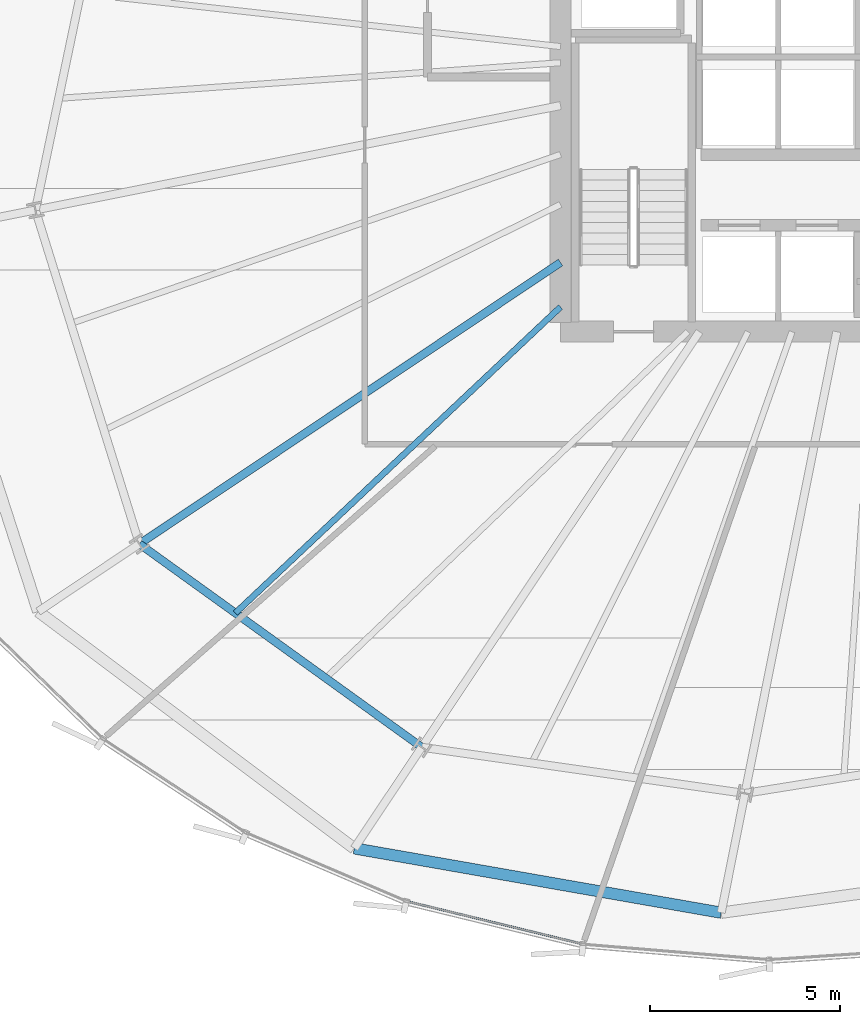
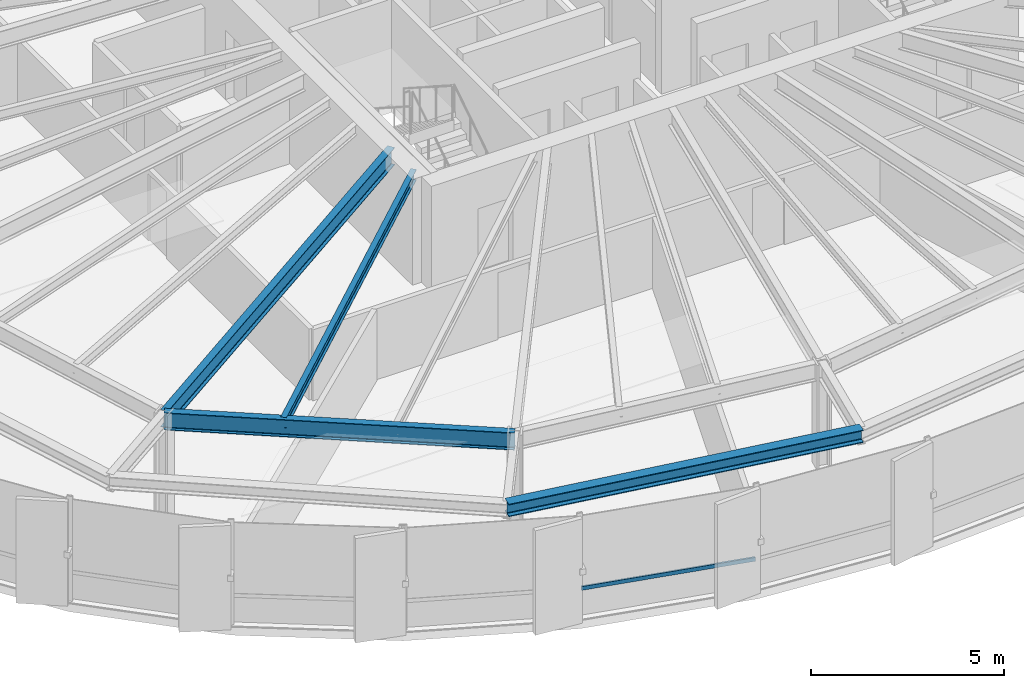
# One storey, part 4 of 35: 4 beams, 1 member, 1 element without a shape of its own.
"""IFC4 building model written with IfcOpenShell, lengths in metres."""

from ifc_helpers import new_model, si_unit, direction, frame, origin, origin_2d, place, context, subcontext, project, spatial, hollow_rectangle, i_section, extrude, source, transform, mapped, material, layer, layer_set, material_profile, profile_set, type_object, element, aggregate, save


model = new_model("IFC4")

# Units and contexts
model_context = context("Model", 3, precision=1e-05, world=origin(), true_north=direction((0.0, 1.0)))
body_context = subcontext(model_context, "Body", "Model", "MODEL_VIEW")
ifc_project = project(units=[si_unit("LENGTHUNIT", "METRE"), si_unit("AREAUNIT", "SQUARE_METRE"), si_unit("VOLUMEUNIT", "CUBIC_METRE"), si_unit("PLANEANGLEUNIT", "RADIAN"), si_unit("MASSUNIT", "GRAM", prefix="KILO"), si_unit("THERMODYNAMICTEMPERATUREUNIT", "KELVIN")], contexts=[model_context])

# Site, building, storey
site_placement = place(None, origin())
site = spatial("IfcSite", under=ifc_project, at=site_placement, CompositionType="ELEMENT")
building_placement = place(site_placement, origin())
building = spatial("IfcBuilding", under=site, at=building_placement, Name="Kethvar Cultural Tower", CompositionType="ELEMENT")
storey_placement = place(building_placement, frame((0.0, 0.0, 100.0)))
storey = spatial("IfcBuildingStorey", under=building, at=storey_placement, Name="L24", CompositionType="ELEMENT", Elevation=100.0)

# Beams
ifc_material_1 = material(Name="Steel S355J2", Category="steel")
ifc_material_profile_1 = material_profile(ifc_material_1, i_section(OverallWidth=0.2099609375, OverallDepth=0.550048828125, WebThickness=0.010986328125, FlangeThickness=0.01708984375, FilletRadius=0.02392578125, at=origin_2d()), Name="Steel S355J2 — IPE550")
ifc_profile_set_1 = profile_set([ifc_material_profile_1], Name="Steel S355J2 — IPE550")
beam_type_1 = type_object("IfcBeamType", Name="BM-IPE550", PredefinedType="BEAM", material=ifc_profile_set_1)
shared_shape_1 = source(origin(), body_context, "Body", "SweptSolid", [
    extrude(i_section(OverallWidth=0.2099609375, OverallDepth=0.550048828125, WebThickness=0.010986328125, FlangeThickness=0.01708984375, FilletRadius=0.02392578125, at=origin_2d()), origin(), (0.0, 0.0, 1.0), 13.324951171875),
])
beam_1_placement = place(storey_placement, frame((38.0, 21.919921875, 3.072998046875), z_axis=(-0.831474815475, -0.555562445843, 0.0), x_axis=(0.555562445843, -0.831474815475, 0.0)))
element("IfcBeam", 1, at=beam_1_placement, inside=storey, type_object=beam_type_1, Name="L24 Primary Radial Beam RB-10", PredefinedType="BEAM", context=body_context, shape_type="MappedRepresentation", body=[
    mapped(shared_shape_1, transform((0.0, 0.0, 0.0), scale=1.0)),
])
shared_shape_2 = source(origin(), body_context, "Body", "SweptSolid", [
    extrude(i_section(OverallWidth=0.2099609375, OverallDepth=0.550048828125, WebThickness=0.010986328125, FlangeThickness=0.01708984375, FilletRadius=0.02392578125, at=origin_2d()), origin(), (0.0, 0.0, 1.0), 9.155029296875),
])
beam_2_placement = place(storey_placement, frame((26.920654296875, 14.51708984375, 3.072998046875), z_axis=(0.811590987974, -0.584226042076, 0.0), x_axis=(0.584226042076, 0.811590987974, 0.0)))
element("IfcBeam", 2, at=beam_2_placement, inside=storey, type_object=beam_type_1, Name="L24 Column Ring Tie Beam CR-10", PredefinedType="BEAM", context=body_context, shape_type="MappedRepresentation", body=[
    mapped(shared_shape_2, transform((0.0, 0.0, 0.0), scale=1.0)),
])
ifc_material_profile_2 = material_profile(ifc_material_1, i_section(OverallWidth=0.159912109375, OverallDepth=0.330078125, WebThickness=0.007568359375, FlangeThickness=0.011474609375, FilletRadius=0.01806640625, at=origin_2d()), Name="Steel S355J2 — IPE330")
ifc_profile_set_2 = profile_set([ifc_material_profile_2], Name="Steel S355J2 — IPE330")
beam_type_2 = type_object("IfcBeamType", Name="BM-J330", PredefinedType="JOIST", material=ifc_profile_set_2)
shared_shape_3 = source(origin(), body_context, "Body", "SweptSolid", [
    extrude(i_section(OverallWidth=0.159912109375, OverallDepth=0.330078125, WebThickness=0.007568359375, FlangeThickness=0.011474609375, FilletRadius=0.01806640625, at=origin_2d()), origin(), (0.0, 0.0, 1.0), 11.74658203125),
])
beam_3_placement = place(storey_placement, frame((38.0, 20.75, 3.18310546875), z_axis=(-0.728129818661, -0.685439251266, 0.0), x_axis=(0.685439251266, -0.728129818661, 0.0)))
element("IfcBeam", 3, at=beam_3_placement, inside=storey, type_object=beam_type_2, Name="L24 Composite Floor Joist J-10A", PredefinedType="JOIST", context=body_context, shape_type="MappedRepresentation", body=[
    mapped(shared_shape_3, transform((0.0, 0.0, 0.0), scale=1.0)),
])
ifc_material_profile_3 = material_profile(ifc_material_1, i_section(OverallWidth=0.300048828125, OverallDepth=0.39990234375, WebThickness=0.013427734375, FlangeThickness=0.02392578125, FilletRadius=0.027099609375, at=origin_2d()), Name="Steel S355J2 — HEB400")
ifc_profile_set_3 = profile_set([ifc_material_profile_3], Name="Steel S355J2 — HEB400")
beam_type_3 = type_object("IfcBeamType", Name="BM-SP400", PredefinedType="SPANDREL", material=ifc_profile_set_3)
shared_shape_4 = source(origin(), body_context, "Body", "SweptSolid", [
    extrude(i_section(OverallWidth=0.300048828125, OverallDepth=0.39990234375, WebThickness=0.013427734375, FlangeThickness=0.02392578125, FilletRadius=0.027099609375, at=origin_2d()), origin(), (0.0, 0.0, 1.0), 9.80224609375),
])
beam_4_placement = place(storey_placement, frame((32.572998046875, 6.5078125, 3.14794921875), z_axis=(0.984974273513, -0.172701130618, 0.0), x_axis=(0.172701130618, 0.984974273513, 0.0)))
element("IfcBeam", 4, at=beam_4_placement, inside=storey, type_object=beam_type_3, Name="L24 Perimeter Spandrel Beam SP-11", PredefinedType="SPANDREL", context=body_context, shape_type="MappedRepresentation", body=[
    mapped(shared_shape_4, transform((0.0, 0.0, 0.0), scale=1.0)),
])

# Curtain wall, member
ifc_material_2 = material(Name="Aluminium 6063-T6", Category="aluminium")
ifc_layer = layer(ifc_material_2, 0.179931640625, Name="Aluminium 6063-T6", Category="aluminium")
ifc_layer_set = layer_set([ifc_layer], Name="Aluminium 6063-T6 (180 mm)")
curtain_wall_type = type_object("IfcCurtainWallType", Name="CW-SYS-03-Z2", PredefinedType="NOTDEFINED", material=ifc_layer_set)
curtain_wall_placement = place(storey_placement, origin())
curtain_wall = element("IfcCurtainWall", 5, at=curtain_wall_placement, inside=storey, type_object=curtain_wall_type, Name="L24 Curtain Wall Run 05", PredefinedType="NOTDEFINED")
ifc_material_profile_4 = material_profile(ifc_material_2, hollow_rectangle(XDim=0.054931640625, YDim=0.1201171875, WallThickness=0.00390625, at=origin_2d()), Name="Aluminium 6063-T6 — RHS120x55x4")
ifc_profile_set_4 = profile_set([ifc_material_profile_4], Name="Aluminium 6063-T6 — RHS120x55x4")
member_type = type_object("IfcMemberType", Name="CW-SYS-03-Z2-TRN", PredefinedType="USERDEFINED", material=ifc_profile_set_4)
shared_shape_5 = source(origin(), body_context, "Body", "SweptSolid", [
    extrude(hollow_rectangle(XDim=0.054931640625, YDim=0.1201171875, WallThickness=0.00390625, at=origin_2d()), origin(), (0.0, 0.0, 1.0), 4.710205078125),
])
member_placement = place(storey_placement, frame((33.989501953125, 5.1064453125, 0.949951171875), z_axis=(0.97173094525, -0.236091020675, 0.0), x_axis=(0.236091020675, 0.97173094525, 0.0)))
member = element("IfcMember", 6, at=member_placement, type_object=member_type, Name="CW-L24-R05 Transom 2", ObjectType="TRANSOM", PredefinedType="USERDEFINED", context=body_context, shape_type="MappedRepresentation", body=[
    mapped(shared_shape_5, transform((0.0, 0.0, 0.0), scale=1.0)),
])
aggregate(curtain_wall, [member])

save(model, "model.ifc")
